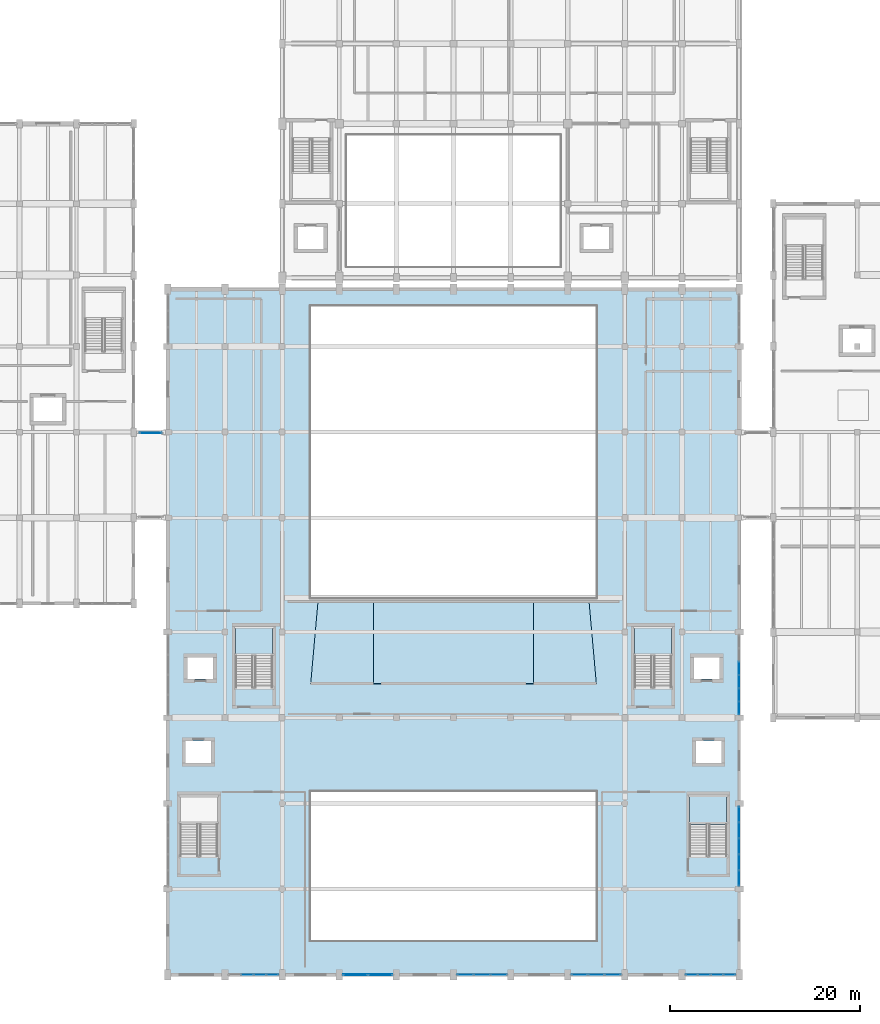
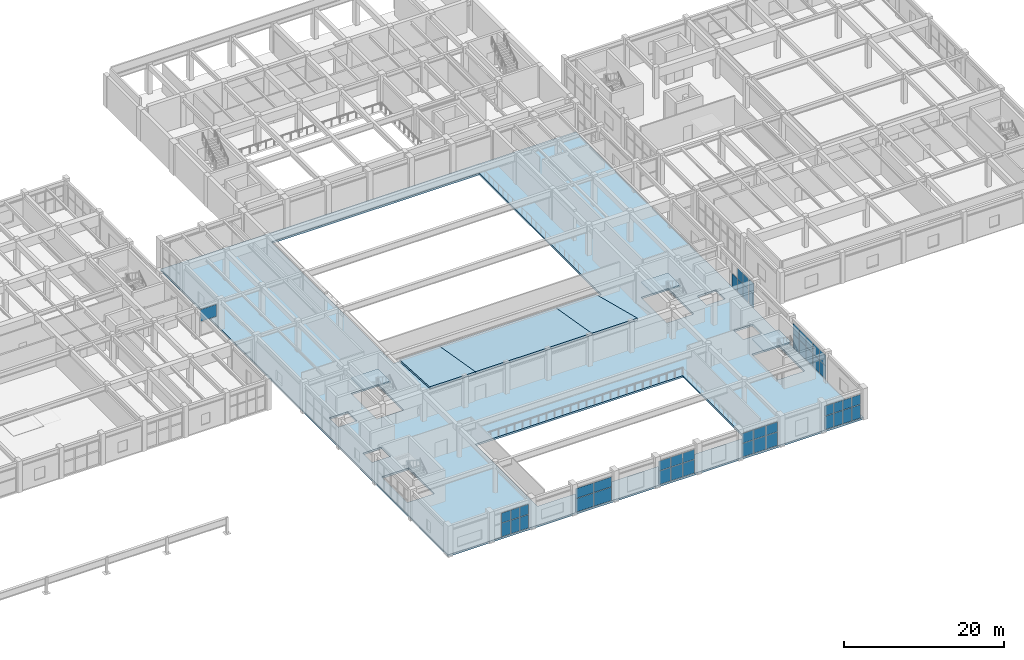
# One storey, part 55 of 85: 48 plates, 7 slabs, 11 elements without a shape of their own.
"""IFC4 building model written with IfcOpenShell, lengths in metres."""

from ifc_helpers import new_model, si_unit, direction, frame, origin, origin_2d, place, context, subcontext, project, spatial, polyline, rectangle, outline, extrude, material, layer, layer_set, type_object, element, aggregate, save


model = new_model("IFC4")

# Units and contexts
model_context = context("Model", 3, precision=1e-05, world=origin(), true_north=direction((0.0, 1.0)))
body_context = subcontext(model_context, "Body", "Model", "MODEL_VIEW")
ifc_project = project(units=[si_unit("LENGTHUNIT", "METRE"), si_unit("AREAUNIT", "SQUARE_METRE"), si_unit("VOLUMEUNIT", "CUBIC_METRE"), si_unit("PLANEANGLEUNIT", "RADIAN"), si_unit("MASSUNIT", "GRAM", prefix="KILO")], contexts=[model_context])

# Site, building, storey
site_placement = place(None, origin())
site = spatial("IfcSite", under=ifc_project, at=site_placement, CompositionType="ELEMENT")
building_placement = place(site_placement, origin())
building = spatial("IfcBuilding", under=site, at=building_placement, Name="Vaelkrest Opera House", CompositionType="ELEMENT")
storey_placement = place(building_placement, frame((0.0, 0.0, 10.199951171875)))
storey = spatial("IfcBuildingStorey", under=building, at=storey_placement, Name="L02", CompositionType="ELEMENT", Elevation=10.199951171875)

# Curtain wall, plates
ifc_material_1 = material(Name="Dark bronze anodized aluminium", Category="aluminium")
ifc_layer_1 = layer(ifc_material_1, 0.179931640625)
ifc_layer_set_1 = layer_set([ifc_layer_1], Name="Dark bronze anodized aluminium")
curtain_wall_type_1 = type_object("IfcCurtainWallType", Name="CW01", PredefinedType="NOTDEFINED", material=ifc_layer_set_1)
curtain_wall_1_placement = place(storey_placement, origin())
curtain_wall_1 = element("IfcCurtainWall", 1, at=curtain_wall_1_placement, inside=storey, type_object=curtain_wall_type_1, Name="Curtain wall CW-L02-040", PredefinedType="NOTDEFINED")
ifc_material_2 = material(Name="Double low-E insulated glazing", Category="glass")
ifc_layer_2 = layer(ifc_material_2, 0.02587890625)
ifc_layer_set_2 = layer_set([ifc_layer_2], Name="Double low-E insulated glazing")
plate_type_1 = type_object("IfcPlateType", Name="CWP01", PredefinedType="CURTAIN_PANEL", material=ifc_layer_set_2)
plate_1_placement = place(storey_placement, frame((30.0, -23.599609375, 0.06494140625), z_axis=(0.0, 0.0, 1.0), x_axis=(0.0, -1.0, 0.0)))
plate_1 = element("IfcPlate", 2, at=plate_1_placement, type_object=plate_type_1, Name="CW01 panel 3.1", PredefinedType="CURTAIN_PANEL", context=body_context, shape_type="SweptSolid", body=[
    extrude(rectangle(XDim=1.335693359375, YDim=0.02587890625, at=origin_2d()), origin(), (0.0, 0.0, 1.0), 2.052490234375),
])
plate_2_placement = place(storey_placement, frame((30.0, -25.000244140625, 0.06494140625), z_axis=(0.0, 0.0, 1.0), x_axis=(0.0, -1.0, 0.0)))
plate_2 = element("IfcPlate", 3, at=plate_2_placement, type_object=plate_type_1, Name="CW01 panel 4.1", PredefinedType="CURTAIN_PANEL", context=body_context, shape_type="SweptSolid", body=[
    extrude(rectangle(XDim=1.335693359375, YDim=0.02587890625, at=origin_2d()), origin(), (0.0, 0.0, 1.0), 2.052490234375),
])
plate_3_placement = place(storey_placement, frame((30.0, -25.000244140625, 2.1826171875), z_axis=(0.0, 0.0, 1.0), x_axis=(0.0, -1.0, 0.0)))
plate_3 = element("IfcPlate", 4, at=plate_3_placement, type_object=plate_type_1, Name="CW01 panel 4.2", PredefinedType="CURTAIN_PANEL", context=body_context, shape_type="SweptSolid", body=[
    extrude(rectangle(XDim=1.335693359375, YDim=0.02587890625, at=origin_2d()), origin(), (0.0, 0.0, 1.0), 1.58154296875),
])
plate_4_placement = place(storey_placement, frame((30.0, -26.40087890625, 0.06494140625), z_axis=(0.0, 0.0, 1.0), x_axis=(0.0, -1.0, 0.0)))
plate_4 = element("IfcPlate", 5, at=plate_4_placement, type_object=plate_type_1, Name="CW01 panel 5.1", PredefinedType="CURTAIN_PANEL", context=body_context, shape_type="SweptSolid", body=[
    extrude(rectangle(XDim=1.335693359375, YDim=0.02587890625, at=origin_2d()), origin(), (0.0, 0.0, 1.0), 2.052490234375),
])
plate_5_placement = place(storey_placement, frame((30.0, -26.40087890625, 2.1826171875), z_axis=(0.0, 0.0, 1.0), x_axis=(0.0, -1.0, 0.0)))
plate_5 = element("IfcPlate", 6, at=plate_5_placement, type_object=plate_type_1, Name="CW01 panel 5.2", PredefinedType="CURTAIN_PANEL", context=body_context, shape_type="SweptSolid", body=[
    extrude(rectangle(XDim=1.335693359375, YDim=0.02587890625, at=origin_2d()), origin(), (0.0, 0.0, 1.0), 1.58154296875),
])
plate_6_placement = place(storey_placement, frame((30.0, -27.785400390625, 0.06494140625), z_axis=(0.0, 0.0, 1.0), x_axis=(0.0, -1.0, 0.0)))
plate_6 = element("IfcPlate", 7, at=plate_6_placement, type_object=plate_type_1, Name="CW01 panel 6.1", PredefinedType="CURTAIN_PANEL", context=body_context, shape_type="SweptSolid", body=[
    extrude(rectangle(XDim=1.30322265625, YDim=0.02587890625, at=origin_2d()), origin(), (0.0, 0.0, 1.0), 2.052490234375),
])
plate_7_placement = place(storey_placement, frame((30.0, -27.785400390625, 2.1826171875), z_axis=(0.0, 0.0, 1.0), x_axis=(0.0, -1.0, 0.0)))
plate_7 = element("IfcPlate", 8, at=plate_7_placement, type_object=plate_type_1, Name="CW01 panel 6.2", PredefinedType="CURTAIN_PANEL", context=body_context, shape_type="SweptSolid", body=[
    extrude(rectangle(XDim=1.30322265625, YDim=0.02587890625, at=origin_2d()), origin(), (0.0, 0.0, 1.0), 1.58154296875),
])
aggregate(curtain_wall_1, [plate_1, plate_2, plate_3, plate_4, plate_5, plate_6, plate_7])

ifc_layer_3 = layer(ifc_material_1, 0.18994140625)
ifc_layer_set_3 = layer_set([ifc_layer_3], Name="Dark bronze anodized aluminium")
curtain_wall_type_2 = type_object("IfcCurtainWallType", Name="CW02", PredefinedType="NOTDEFINED", material=ifc_layer_set_3)
curtain_wall_2_placement = place(storey_placement, origin())
curtain_wall_2 = element("IfcCurtainWall", 9, at=curtain_wall_2_placement, inside=storey, type_object=curtain_wall_type_2, Name="Curtain wall CW-L02-031", PredefinedType="NOTDEFINED")
ifc_layer_4 = layer(ifc_material_2, 0.030029296875)
ifc_layer_set_4 = layer_set([ifc_layer_4], Name="Double low-E insulated glazing")
plate_type_2 = type_object("IfcPlateType", Name="CWP02", PredefinedType="CURTAIN_PANEL", material=ifc_layer_set_4)
plate_8_placement = place(storey_placement, frame((28.971435546875, -55.800048828125, 0.070068359375), z_axis=(0.0, 0.0, 1.0), x_axis=(-1.0, 0.0, 0.0)))
plate_8 = element("IfcPlate", 10, at=plate_8_placement, type_object=plate_type_2, Name="CW02 panel 1.1", PredefinedType="CURTAIN_PANEL", context=body_context, shape_type="SweptSolid", body=[
    extrude(rectangle(XDim=1.220947265625, YDim=0.030029296875, at=origin_2d()), origin(), (0.0, 0.0, 1.0), 2.044921875),
])
plate_9_placement = place(storey_placement, frame((28.971435546875, -55.800048828125, 2.18505859375), z_axis=(0.0, 0.0, 1.0), x_axis=(-1.0, 0.0, 0.0)))
plate_9 = element("IfcPlate", 11, at=plate_9_placement, type_object=plate_type_2, Name="CW02 panel 1.2", PredefinedType="CURTAIN_PANEL", context=body_context, shape_type="SweptSolid", body=[
    extrude(rectangle(XDim=1.220947265625, YDim=0.030029296875, at=origin_2d()), origin(), (0.0, 0.0, 1.0), 1.489990234375),
])
plate_10_placement = place(storey_placement, frame((27.6630859375, -55.800048828125, 0.070068359375), z_axis=(0.0, 0.0, 1.0), x_axis=(-1.0, 0.0, 0.0)))
plate_10 = element("IfcPlate", 12, at=plate_10_placement, type_object=plate_type_2, Name="CW02 panel 2.1", PredefinedType="CURTAIN_PANEL", context=body_context, shape_type="SweptSolid", body=[
    extrude(rectangle(XDim=1.256103515625, YDim=0.030029296875, at=origin_2d()), origin(), (0.0, 0.0, 1.0), 2.044921875),
])
plate_11_placement = place(storey_placement, frame((27.6630859375, -55.800048828125, 2.18505859375), z_axis=(0.0, 0.0, 1.0), x_axis=(-1.0, 0.0, 0.0)))
plate_11 = element("IfcPlate", 13, at=plate_11_placement, type_object=plate_type_2, Name="CW02 panel 2.2", PredefinedType="CURTAIN_PANEL", context=body_context, shape_type="SweptSolid", body=[
    extrude(rectangle(XDim=1.256103515625, YDim=0.030029296875, at=origin_2d()), origin(), (0.0, 0.0, 1.0), 1.489990234375),
])
plate_12_placement = place(storey_placement, frame((26.3369140625, -55.800048828125, 0.070068359375), z_axis=(0.0, 0.0, 1.0), x_axis=(-1.0, 0.0, 0.0)))
plate_12 = element("IfcPlate", 14, at=plate_12_placement, type_object=plate_type_2, Name="CW02 panel 3.1", PredefinedType="CURTAIN_PANEL", context=body_context, shape_type="SweptSolid", body=[
    extrude(rectangle(XDim=1.256103515625, YDim=0.030029296875, at=origin_2d()), origin(), (0.0, 0.0, 1.0), 2.044921875),
])
plate_13_placement = place(storey_placement, frame((26.3369140625, -55.800048828125, 2.18505859375), z_axis=(0.0, 0.0, 1.0), x_axis=(-1.0, 0.0, 0.0)))
plate_13 = element("IfcPlate", 15, at=plate_13_placement, type_object=plate_type_2, Name="CW02 panel 3.2", PredefinedType="CURTAIN_PANEL", context=body_context, shape_type="SweptSolid", body=[
    extrude(rectangle(XDim=1.256103515625, YDim=0.030029296875, at=origin_2d()), origin(), (0.0, 0.0, 1.0), 1.489990234375),
])
plate_14_placement = place(storey_placement, frame((25.028564453125, -55.800048828125, 0.070068359375), z_axis=(0.0, 0.0, 1.0), x_axis=(-1.0, 0.0, 0.0)))
plate_14 = element("IfcPlate", 16, at=plate_14_placement, type_object=plate_type_2, Name="CW02 panel 4.1", PredefinedType="CURTAIN_PANEL", context=body_context, shape_type="SweptSolid", body=[
    extrude(rectangle(XDim=1.220947265625, YDim=0.030029296875, at=origin_2d()), origin(), (0.0, 0.0, 1.0), 2.044921875),
])
plate_15_placement = place(storey_placement, frame((25.028564453125, -55.800048828125, 2.18505859375), z_axis=(0.0, 0.0, 1.0), x_axis=(-1.0, 0.0, 0.0)))
plate_15 = element("IfcPlate", 17, at=plate_15_placement, type_object=plate_type_2, Name="CW02 panel 4.2", PredefinedType="CURTAIN_PANEL", context=body_context, shape_type="SweptSolid", body=[
    extrude(rectangle(XDim=1.220947265625, YDim=0.030029296875, at=origin_2d()), origin(), (0.0, 0.0, 1.0), 1.489990234375),
])
aggregate(curtain_wall_2, [plate_8, plate_9, plate_10, plate_11, plate_12, plate_13, plate_14, plate_15])

curtain_wall_3_placement = place(storey_placement, origin())
curtain_wall_3 = element("IfcCurtainWall", 18, at=curtain_wall_3_placement, inside=storey, type_object=curtain_wall_type_2, Name="Curtain wall CW-L02-035", PredefinedType="NOTDEFINED")
plate_16_placement = place(storey_placement, frame((-19.028564453125, -55.800048828125, 0.070068359375), z_axis=(0.0, 0.0, 1.0), x_axis=(-1.0, 0.0, 0.0)))
plate_16 = element("IfcPlate", 19, at=plate_16_placement, type_object=plate_type_2, Name="CW02 panel 1.1", PredefinedType="CURTAIN_PANEL", context=body_context, shape_type="SweptSolid", body=[
    extrude(rectangle(XDim=1.220947265625, YDim=0.030029296875, at=origin_2d()), origin(), (0.0, 0.0, 1.0), 2.044921875),
])
plate_17_placement = place(storey_placement, frame((-19.028564453125, -55.800048828125, 2.18505859375), z_axis=(0.0, 0.0, 1.0), x_axis=(-1.0, 0.0, 0.0)))
plate_17 = element("IfcPlate", 20, at=plate_17_placement, type_object=plate_type_2, Name="CW02 panel 1.2", PredefinedType="CURTAIN_PANEL", context=body_context, shape_type="SweptSolid", body=[
    extrude(rectangle(XDim=1.220947265625, YDim=0.030029296875, at=origin_2d()), origin(), (0.0, 0.0, 1.0), 1.489990234375),
])
plate_18_placement = place(storey_placement, frame((-20.3369140625, -55.800048828125, 0.070068359375), z_axis=(0.0, 0.0, 1.0), x_axis=(-1.0, 0.0, 0.0)))
plate_18 = element("IfcPlate", 21, at=plate_18_placement, type_object=plate_type_2, Name="CW02 panel 2.1", PredefinedType="CURTAIN_PANEL", context=body_context, shape_type="SweptSolid", body=[
    extrude(rectangle(XDim=1.256103515625, YDim=0.030029296875, at=origin_2d()), origin(), (0.0, 0.0, 1.0), 2.044921875),
])
plate_19_placement = place(storey_placement, frame((-20.3369140625, -55.800048828125, 2.18505859375), z_axis=(0.0, 0.0, 1.0), x_axis=(-1.0, 0.0, 0.0)))
plate_19 = element("IfcPlate", 22, at=plate_19_placement, type_object=plate_type_2, Name="CW02 panel 2.2", PredefinedType="CURTAIN_PANEL", context=body_context, shape_type="SweptSolid", body=[
    extrude(rectangle(XDim=1.256103515625, YDim=0.030029296875, at=origin_2d()), origin(), (0.0, 0.0, 1.0), 1.489990234375),
])
plate_20_placement = place(storey_placement, frame((-21.6630859375, -55.800048828125, 0.070068359375), z_axis=(0.0, 0.0, 1.0), x_axis=(-1.0, 0.0, 0.0)))
plate_20 = element("IfcPlate", 23, at=plate_20_placement, type_object=plate_type_2, Name="CW02 panel 3.1", PredefinedType="CURTAIN_PANEL", context=body_context, shape_type="SweptSolid", body=[
    extrude(rectangle(XDim=1.256103515625, YDim=0.030029296875, at=origin_2d()), origin(), (0.0, 0.0, 1.0), 2.044921875),
])
plate_21_placement = place(storey_placement, frame((-21.6630859375, -55.800048828125, 2.18505859375), z_axis=(0.0, 0.0, 1.0), x_axis=(-1.0, 0.0, 0.0)))
plate_21 = element("IfcPlate", 24, at=plate_21_placement, type_object=plate_type_2, Name="CW02 panel 3.2", PredefinedType="CURTAIN_PANEL", context=body_context, shape_type="SweptSolid", body=[
    extrude(rectangle(XDim=1.256103515625, YDim=0.030029296875, at=origin_2d()), origin(), (0.0, 0.0, 1.0), 1.489990234375),
])
aggregate(curtain_wall_3, [plate_16, plate_17, plate_18, plate_19, plate_20, plate_21])

ifc_layer_5 = layer(ifc_material_1, 0.199951171875)
ifc_layer_set_5 = layer_set([ifc_layer_5], Name="Dark bronze anodized aluminium")
curtain_wall_type_3 = type_object("IfcCurtainWallType", Name="CW03", PredefinedType="NOTDEFINED", material=ifc_layer_set_5)
curtain_wall_4_placement = place(storey_placement, origin())
curtain_wall_4 = element("IfcCurtainWall", 25, at=curtain_wall_4_placement, inside=storey, type_object=curtain_wall_type_3, Name="Curtain wall CW-L02-041", PredefinedType="NOTDEFINED")
ifc_layer_6 = layer(ifc_material_2, 0.033935546875)
ifc_layer_set_6 = layer_set([ifc_layer_6], Name="Double low-E insulated glazing")
plate_type_3 = type_object("IfcPlateType", Name="CWP03", PredefinedType="CURTAIN_PANEL", material=ifc_layer_set_6)
plate_22_placement = place(storey_placement, frame((30.0, -38.95703125, 0.074951171875), z_axis=(0.0, 0.0, 1.0), x_axis=(0.0, -1.0, 0.0)))
plate_22 = element("IfcPlate", 26, at=plate_22_placement, type_object=plate_type_3, Name="CW03 panel 1.1", PredefinedType="CURTAIN_PANEL", context=body_context, shape_type="SweptSolid", body=[
    extrude(rectangle(XDim=1.568359375, YDim=0.033935546875, at=origin_2d()), origin(), (0.0, 0.0, 1.0), 2.03759765625),
])
plate_23_placement = place(storey_placement, frame((30.0, -38.95703125, 2.1875), z_axis=(0.0, 0.0, 1.0), x_axis=(0.0, -1.0, 0.0)))
plate_23 = element("IfcPlate", 27, at=plate_23_placement, type_object=plate_type_3, Name="CW03 panel 1.2", PredefinedType="CURTAIN_PANEL", context=body_context, shape_type="SweptSolid", body=[
    extrude(rectangle(XDim=1.568359375, YDim=0.033935546875, at=origin_2d()), origin(), (0.0, 0.0, 1.0), 1.56640625),
])
plate_24_placement = place(storey_placement, frame((30.0, -40.619140625, 0.074951171875), z_axis=(0.0, 0.0, 1.0), x_axis=(0.0, -1.0, 0.0)))
plate_24 = element("IfcPlate", 28, at=plate_24_placement, type_object=plate_type_3, Name="CW03 panel 2.1", PredefinedType="CURTAIN_PANEL", context=body_context, shape_type="SweptSolid", body=[
    extrude(rectangle(XDim=1.605712890625, YDim=0.033935546875, at=origin_2d()), origin(), (0.0, 0.0, 1.0), 2.03759765625),
])
plate_25_placement = place(storey_placement, frame((30.0, -40.619140625, 2.1875), z_axis=(0.0, 0.0, 1.0), x_axis=(0.0, -1.0, 0.0)))
plate_25 = element("IfcPlate", 29, at=plate_25_placement, type_object=plate_type_3, Name="CW03 panel 2.2", PredefinedType="CURTAIN_PANEL", context=body_context, shape_type="SweptSolid", body=[
    extrude(rectangle(XDim=1.605712890625, YDim=0.033935546875, at=origin_2d()), origin(), (0.0, 0.0, 1.0), 1.56640625),
])
plate_26_placement = place(storey_placement, frame((30.0, -42.300048828125, 0.074951171875), z_axis=(0.0, 0.0, 1.0), x_axis=(0.0, -1.0, 0.0)))
plate_26 = element("IfcPlate", 30, at=plate_26_placement, type_object=plate_type_3, Name="CW03 panel 3.1", PredefinedType="CURTAIN_PANEL", context=body_context, shape_type="SweptSolid", body=[
    extrude(rectangle(XDim=1.605712890625, YDim=0.033935546875, at=origin_2d()), origin(), (0.0, 0.0, 1.0), 2.03759765625),
])
plate_27_placement = place(storey_placement, frame((30.0, -42.300048828125, 2.1875), z_axis=(0.0, 0.0, 1.0), x_axis=(0.0, -1.0, 0.0)))
plate_27 = element("IfcPlate", 31, at=plate_27_placement, type_object=plate_type_3, Name="CW03 panel 3.2", PredefinedType="CURTAIN_PANEL", context=body_context, shape_type="SweptSolid", body=[
    extrude(rectangle(XDim=1.605712890625, YDim=0.033935546875, at=origin_2d()), origin(), (0.0, 0.0, 1.0), 1.56640625),
])
plate_28_placement = place(storey_placement, frame((30.0, -43.980712890625, 0.074951171875), z_axis=(0.0, 0.0, 1.0), x_axis=(0.0, -1.0, 0.0)))
plate_28 = element("IfcPlate", 32, at=plate_28_placement, type_object=plate_type_3, Name="CW03 panel 4.1", PredefinedType="CURTAIN_PANEL", context=body_context, shape_type="SweptSolid", body=[
    extrude(rectangle(XDim=1.605712890625, YDim=0.033935546875, at=origin_2d()), origin(), (0.0, 0.0, 1.0), 2.03759765625),
])
plate_29_placement = place(storey_placement, frame((30.0, -43.980712890625, 2.1875), z_axis=(0.0, 0.0, 1.0), x_axis=(0.0, -1.0, 0.0)))
plate_29 = element("IfcPlate", 33, at=plate_29_placement, type_object=plate_type_3, Name="CW03 panel 4.2", PredefinedType="CURTAIN_PANEL", context=body_context, shape_type="SweptSolid", body=[
    extrude(rectangle(XDim=1.605712890625, YDim=0.033935546875, at=origin_2d()), origin(), (0.0, 0.0, 1.0), 1.56640625),
])
plate_30_placement = place(storey_placement, frame((30.0, -45.642822265625, 0.074951171875), z_axis=(0.0, 0.0, 1.0), x_axis=(0.0, -1.0, 0.0)))
plate_30 = element("IfcPlate", 34, at=plate_30_placement, type_object=plate_type_3, Name="CW03 panel 5.1", PredefinedType="CURTAIN_PANEL", context=body_context, shape_type="SweptSolid", body=[
    extrude(rectangle(XDim=1.568359375, YDim=0.033935546875, at=origin_2d()), origin(), (0.0, 0.0, 1.0), 2.03759765625),
])
plate_31_placement = place(storey_placement, frame((30.0, -45.642822265625, 2.1875), z_axis=(0.0, 0.0, 1.0), x_axis=(0.0, -1.0, 0.0)))
plate_31 = element("IfcPlate", 35, at=plate_31_placement, type_object=plate_type_3, Name="CW03 panel 5.2", PredefinedType="CURTAIN_PANEL", context=body_context, shape_type="SweptSolid", body=[
    extrude(rectangle(XDim=1.568359375, YDim=0.033935546875, at=origin_2d()), origin(), (0.0, 0.0, 1.0), 1.56640625),
])
aggregate(curtain_wall_4, [plate_22, plate_23, plate_24, plate_25, plate_26, plate_27, plate_28, plate_29, plate_30, plate_31])

# Curtain wall, plate
curtain_wall_5_placement = place(storey_placement, origin())
curtain_wall_5 = element("IfcCurtainWall", 36, at=curtain_wall_5_placement, inside=storey, type_object=curtain_wall_type_3, Name="Curtain wall CW-L02-179", PredefinedType="NOTDEFINED")
plate_32_placement = place(storey_placement, frame((-31.800048828125, 1.10009765625, 2.1875), z_axis=(0.0, 0.0, 1.0), x_axis=(1.0, 0.0, 0.0)))
plate_32 = element("IfcPlate", 37, at=plate_32_placement, type_object=plate_type_3, Name="CW03 panel 1.2", PredefinedType="CURTAIN_PANEL", context=body_context, shape_type="SweptSolid", body=[
    extrude(rectangle(XDim=2.2900390625, YDim=0.033935546875, at=origin_2d()), origin(), (0.0, 0.0, 1.0), 1.8173828125),
])
aggregate(curtain_wall_5, [plate_32])

# Curtain wall, plates
ifc_layer_7 = layer(ifc_material_1, 0.2099609375)
ifc_layer_set_7 = layer_set([ifc_layer_7], Name="Dark bronze anodized aluminium")
curtain_wall_type_4 = type_object("IfcCurtainWallType", Name="CW04", PredefinedType="NOTDEFINED", material=ifc_layer_set_7)
curtain_wall_6_placement = place(storey_placement, origin())
curtain_wall_6 = element("IfcCurtainWall", 38, at=curtain_wall_6_placement, inside=storey, type_object=curtain_wall_type_4, Name="Curtain wall CW-L02-032", PredefinedType="NOTDEFINED")
ifc_layer_8 = layer(ifc_material_2, 0.0380859375)
ifc_layer_set_8 = layer_set([ifc_layer_8], Name="Double low-E insulated glazing")
plate_type_4 = type_object("IfcPlateType", Name="CWP04", PredefinedType="CURTAIN_PANEL", material=ifc_layer_set_8)
plate_33_placement = place(storey_placement, frame((16.748046875, -55.800048828125, 0.080078125), z_axis=(0.0, 0.0, 1.0), x_axis=(-1.0, 0.0, 0.0)))
plate_33 = element("IfcPlate", 39, at=plate_33_placement, type_object=plate_type_4, Name="CW04 panel 1.1", PredefinedType="CURTAIN_PANEL", context=body_context, shape_type="SweptSolid", body=[
    extrude(rectangle(XDim=1.64794921875, YDim=0.0380859375, at=origin_2d()), origin(), (0.0, 0.0, 1.0), 2.030029296875),
])
plate_34_placement = place(storey_placement, frame((16.748046875, -55.800048828125, 2.18994140625), z_axis=(0.0, 0.0, 1.0), x_axis=(-1.0, 0.0, 0.0)))
plate_34 = element("IfcPlate", 40, at=plate_34_placement, type_object=plate_type_4, Name="CW04 panel 1.2", PredefinedType="CURTAIN_PANEL", context=body_context, shape_type="SweptSolid", body=[
    extrude(rectangle(XDim=1.64794921875, YDim=0.0380859375, at=origin_2d()), origin(), (0.0, 0.0, 1.0), 1.47509765625),
])
plate_35_placement = place(storey_placement, frame((15.0, -55.800048828125, 0.080078125), z_axis=(0.0, 0.0, 1.0), x_axis=(-1.0, 0.0, 0.0)))
plate_35 = element("IfcPlate", 41, at=plate_35_placement, type_object=plate_type_4, Name="CW04 panel 2.1", PredefinedType="CURTAIN_PANEL", context=body_context, shape_type="SweptSolid", body=[
    extrude(rectangle(XDim=1.68798828125, YDim=0.0380859375, at=origin_2d()), origin(), (0.0, 0.0, 1.0), 2.030029296875),
])
plate_36_placement = place(storey_placement, frame((15.0, -55.800048828125, 2.18994140625), z_axis=(0.0, 0.0, 1.0), x_axis=(-1.0, 0.0, 0.0)))
plate_36 = element("IfcPlate", 42, at=plate_36_placement, type_object=plate_type_4, Name="CW04 panel 2.2", PredefinedType="CURTAIN_PANEL", context=body_context, shape_type="SweptSolid", body=[
    extrude(rectangle(XDim=1.68798828125, YDim=0.0380859375, at=origin_2d()), origin(), (0.0, 0.0, 1.0), 1.47509765625),
])
plate_37_placement = place(storey_placement, frame((13.251953125, -55.800048828125, 0.080078125), z_axis=(0.0, 0.0, 1.0), x_axis=(-1.0, 0.0, 0.0)))
plate_37 = element("IfcPlate", 43, at=plate_37_placement, type_object=plate_type_4, Name="CW04 panel 3.1", PredefinedType="CURTAIN_PANEL", context=body_context, shape_type="SweptSolid", body=[
    extrude(rectangle(XDim=1.64794921875, YDim=0.0380859375, at=origin_2d()), origin(), (0.0, 0.0, 1.0), 2.030029296875),
])
plate_38_placement = place(storey_placement, frame((13.251953125, -55.800048828125, 2.18994140625), z_axis=(0.0, 0.0, 1.0), x_axis=(-1.0, 0.0, 0.0)))
plate_38 = element("IfcPlate", 44, at=plate_38_placement, type_object=plate_type_4, Name="CW04 panel 3.2", PredefinedType="CURTAIN_PANEL", context=body_context, shape_type="SweptSolid", body=[
    extrude(rectangle(XDim=1.64794921875, YDim=0.0380859375, at=origin_2d()), origin(), (0.0, 0.0, 1.0), 1.47509765625),
])
aggregate(curtain_wall_6, [plate_33, plate_34, plate_35, plate_36, plate_37, plate_38])

ifc_layer_9 = layer(ifc_material_1, 0.22998046875)
ifc_layer_set_9 = layer_set([ifc_layer_9], Name="Dark bronze anodized aluminium")
curtain_wall_type_5 = type_object("IfcCurtainWallType", Name="CW06", PredefinedType="NOTDEFINED", material=ifc_layer_set_9)
curtain_wall_7_placement = place(storey_placement, origin())
curtain_wall_7 = element("IfcCurtainWall", 45, at=curtain_wall_7_placement, inside=storey, type_object=curtain_wall_type_5, Name="Curtain wall CW-L02-033", PredefinedType="NOTDEFINED")
ifc_material_3 = material(Name="Dark bronze anodized aluminium spandrel", Category="aluminium")
ifc_layer_10 = layer(ifc_material_3, 0.0458984375)
ifc_layer_set_10 = layer_set([ifc_layer_10], Name="Dark bronze anodized aluminium spandrel")
plate_type_5 = type_object("IfcPlateType", Name="CWP06", PredefinedType="CURTAIN_PANEL", material=ifc_layer_set_10)
plate_39_placement = place(storey_placement, frame((4.75048828125, -55.800048828125, 0.080078125), z_axis=(0.0, 0.0, 1.0), x_axis=(-1.0, 0.0, 0.0)))
plate_39 = element("IfcPlate", 46, at=plate_39_placement, type_object=plate_type_5, Name="CW06 panel 1.1", PredefinedType="CURTAIN_PANEL", context=body_context, shape_type="SweptSolid", body=[
    extrude(rectangle(XDim=1.6630859375, YDim=0.0458984375, at=origin_2d()), origin(), (0.0, 0.0, 1.0), 2.030029296875),
])
plate_40_placement = place(storey_placement, frame((4.75048828125, -55.800048828125, 2.18994140625), z_axis=(0.0, 0.0, 1.0), x_axis=(-1.0, 0.0, 0.0)))
plate_40 = element("IfcPlate", 47, at=plate_40_placement, type_object=plate_type_5, Name="CW06 panel 1.2", PredefinedType="CURTAIN_PANEL", context=body_context, shape_type="SweptSolid", body=[
    extrude(rectangle(XDim=1.6630859375, YDim=0.0458984375, at=origin_2d()), origin(), (0.0, 0.0, 1.0), 1.47509765625),
])
plate_41_placement = place(storey_placement, frame((3.0, -55.800048828125, 0.080078125), z_axis=(0.0, 0.0, 1.0), x_axis=(-1.0, 0.0, 0.0)))
plate_41 = element("IfcPlate", 48, at=plate_41_placement, type_object=plate_type_5, Name="CW06 panel 2.1", PredefinedType="CURTAIN_PANEL", context=body_context, shape_type="SweptSolid", body=[
    extrude(rectangle(XDim=1.697998046875, YDim=0.0458984375, at=origin_2d()), origin(), (0.0, 0.0, 1.0), 2.030029296875),
])
plate_42_placement = place(storey_placement, frame((3.0, -55.800048828125, 2.18994140625), z_axis=(0.0, 0.0, 1.0), x_axis=(-1.0, 0.0, 0.0)))
plate_42 = element("IfcPlate", 49, at=plate_42_placement, type_object=plate_type_5, Name="CW06 panel 2.2", PredefinedType="CURTAIN_PANEL", context=body_context, shape_type="SweptSolid", body=[
    extrude(rectangle(XDim=1.697998046875, YDim=0.0458984375, at=origin_2d()), origin(), (0.0, 0.0, 1.0), 1.47509765625),
])
plate_43_placement = place(storey_placement, frame((1.24951171875, -55.800048828125, 0.080078125), z_axis=(0.0, 0.0, 1.0), x_axis=(-1.0, 0.0, 0.0)))
plate_43 = element("IfcPlate", 50, at=plate_43_placement, type_object=plate_type_5, Name="CW06 panel 3.1", PredefinedType="CURTAIN_PANEL", context=body_context, shape_type="SweptSolid", body=[
    extrude(rectangle(XDim=1.6630859375, YDim=0.0458984375, at=origin_2d()), origin(), (0.0, 0.0, 1.0), 2.030029296875),
])
plate_44_placement = place(storey_placement, frame((1.24951171875, -55.800048828125, 2.18994140625), z_axis=(0.0, 0.0, 1.0), x_axis=(-1.0, 0.0, 0.0)))
plate_44 = element("IfcPlate", 51, at=plate_44_placement, type_object=plate_type_5, Name="CW06 panel 3.2", PredefinedType="CURTAIN_PANEL", context=body_context, shape_type="SweptSolid", body=[
    extrude(rectangle(XDim=1.6630859375, YDim=0.0458984375, at=origin_2d()), origin(), (0.0, 0.0, 1.0), 1.47509765625),
])
aggregate(curtain_wall_7, [plate_39, plate_40, plate_41, plate_42, plate_43, plate_44])

ifc_layer_11 = layer(ifc_material_1, 0.25)
ifc_layer_set_11 = layer_set([ifc_layer_11], Name="Dark bronze anodized aluminium")
curtain_wall_type_6 = type_object("IfcCurtainWallType", Name="CW08", PredefinedType="NOTDEFINED", material=ifc_layer_set_11)
curtain_wall_8_placement = place(storey_placement, origin())
curtain_wall_8 = element("IfcCurtainWall", 52, at=curtain_wall_8_placement, inside=storey, type_object=curtain_wall_type_6, Name="Curtain wall CW-L02-034", PredefinedType="NOTDEFINED")
ifc_layer_12 = layer(ifc_material_3, 0.05810546875)
ifc_layer_set_12 = layer_set([ifc_layer_12], Name="Dark bronze anodized aluminium spandrel")
plate_type_6 = type_object("IfcPlateType", Name="CWP08", PredefinedType="CURTAIN_PANEL", material=ifc_layer_set_12)
plate_45_placement = place(storey_placement, frame((-7.694091796875, -55.800048828125, 0.070068359375), z_axis=(0.0, 0.0, 1.0), x_axis=(-1.0, 0.0, 0.0)))
plate_45 = element("IfcPlate", 53, at=plate_45_placement, type_object=plate_type_6, Name="CW08 panel 1.1", PredefinedType="CURTAIN_PANEL", context=body_context, shape_type="SweptSolid", body=[
    extrude(rectangle(XDim=2.531982421875, YDim=0.05810546875, at=origin_2d()), origin(), (0.0, 0.0, 1.0), 2.044921875),
])
plate_46_placement = place(storey_placement, frame((-7.694091796875, -55.800048828125, 2.18505859375), z_axis=(0.0, 0.0, 1.0), x_axis=(-1.0, 0.0, 0.0)))
plate_46 = element("IfcPlate", 54, at=plate_46_placement, type_object=plate_type_6, Name="CW08 panel 1.2", PredefinedType="CURTAIN_PANEL", context=body_context, shape_type="SweptSolid", body=[
    extrude(rectangle(XDim=2.531982421875, YDim=0.05810546875, at=origin_2d()), origin(), (0.0, 0.0, 1.0), 1.489990234375),
])
plate_47_placement = place(storey_placement, frame((-10.305908203125, -55.800048828125, 0.070068359375), z_axis=(0.0, 0.0, 1.0), x_axis=(-1.0, 0.0, 0.0)))
plate_47 = element("IfcPlate", 55, at=plate_47_placement, type_object=plate_type_6, Name="CW08 panel 2.1", PredefinedType="CURTAIN_PANEL", context=body_context, shape_type="SweptSolid", body=[
    extrude(rectangle(XDim=2.531982421875, YDim=0.05810546875, at=origin_2d()), origin(), (0.0, 0.0, 1.0), 2.044921875),
])
plate_48_placement = place(storey_placement, frame((-10.305908203125, -55.800048828125, 2.18505859375), z_axis=(0.0, 0.0, 1.0), x_axis=(-1.0, 0.0, 0.0)))
plate_48 = element("IfcPlate", 56, at=plate_48_placement, type_object=plate_type_6, Name="CW08 panel 2.2", PredefinedType="CURTAIN_PANEL", context=body_context, shape_type="SweptSolid", body=[
    extrude(rectangle(XDim=2.531982421875, YDim=0.05810546875, at=origin_2d()), origin(), (0.0, 0.0, 1.0), 1.489990234375),
])
aggregate(curtain_wall_8, [plate_45, plate_46, plate_47, plate_48])

# Slab
ifc_material_4 = material(Name="Concrete C40/50", Category="concrete")
ifc_layer_13 = layer(ifc_material_4, 0.284912109375)
ifc_layer_set_13 = layer_set([ifc_layer_13], Name="Concrete C40/50")
slab_type_1 = type_object("IfcSlabType", Name="FS03", PredefinedType="FLOOR", material=ifc_layer_set_13)
slab_1_placement = place(storey_placement, frame((0.0, 0.0, -0.284912109375)))
element("IfcSlab", 57, at=slab_1_placement, inside=storey, type_object=slab_type_1, Name="Floor slab SLB-V1-L02-005", PredefinedType="FLOOR", context=body_context, shape_type="SweptSolid", body=[
    extrude(outline(polyline([(-30.0, -55.800048828125), (30.0, -55.800048828125), (30.0, 16.199951171875), (-30.0, 16.199951171875), (-30.0, -55.800048828125)]), holes=[polyline([(-15.0, -16.199951171875), (15.0, -16.199951171875), (15.0, 14.39990234375), (-15.0, 14.39990234375), (-15.0, -16.199951171875)]), polyline([(-15.0, -52.199951171875), (15.0, -52.199951171875), (15.0, -36.60009765625), (-15.0, -36.60009765625), (-15.0, -52.199951171875)]), polyline([(-19.0, -25.64990234375), (-19.0, -19.199951171875), (-22.89990234375, -19.199951171875), (-22.89990234375, -25.64990234375), (-19.0, -25.64990234375)]), polyline([(22.89990234375, -25.64990234375), (22.89990234375, -19.199951171875), (19.0, -19.199951171875), (19.0, -25.64990234375), (22.89990234375, -25.64990234375)]), polyline([(-24.800048828125, -43.35009765625), (-24.800048828125, -36.89990234375), (-28.699951171875, -36.89990234375), (-28.699951171875, -43.35009765625), (-24.800048828125, -43.35009765625)]), polyline([(28.699951171875, -43.35009765625), (28.699951171875, -36.89990234375), (24.800048828125, -36.89990234375), (24.800048828125, -43.35009765625), (28.699951171875, -43.35009765625)]), polyline([(-27.949951171875, -24.75), (-25.25, -24.75), (-25.25, -22.449951171875), (-27.949951171875, -22.449951171875), (-27.949951171875, -24.75)]), polyline([(25.25, -24.75), (27.949951171875, -24.75), (27.949951171875, -22.449951171875), (25.25, -22.449951171875), (25.25, -24.75)]), polyline([(-28.14990234375, -33.550048828125), (-25.449951171875, -33.550048828125), (-25.449951171875, -31.25), (-28.14990234375, -31.25), (-28.14990234375, -33.550048828125)]), polyline([(25.449951171875, -33.550048828125), (28.14990234375, -33.550048828125), (28.14990234375, -31.25), (25.449951171875, -31.25), (25.449951171875, -33.550048828125)])]), origin(), (0.0, 0.0, 1.0), 0.284912109375),
])

# Stair, slab
stair_type_1 = type_object("IfcStairType", Name="ST01", PredefinedType="TWO_STRAIGHT_RUN_STAIR", material=ifc_material_4)
stair_1_placement = place(storey_placement, origin())
stair_1 = element("IfcStair", 58, at=stair_1_placement, inside=storey, type_object=stair_type_1, Name="L02 Protected exit stair ST01", PredefinedType="TWO_STRAIGHT_RUN_STAIR")
ifc_layer_14 = layer(ifc_material_4, 0.199951171875)
ifc_layer_set_14 = layer_set([ifc_layer_14], Name="Concrete C40/50")
slab_type_2 = type_object("IfcSlabType", Name="SLD01", PredefinedType="LANDING", material=ifc_layer_set_14)
slab_2_placement = place(storey_placement, frame((0.0, 0.0, 2.199951171875)))
slab_2 = element("IfcSlab", 59, at=slab_2_placement, type_object=slab_type_2, Name="ST01 landing 1", PredefinedType="LANDING", context=body_context, shape_type="SweptSolid", body=[
    extrude(outline(polyline([(-19.0, -22.2900390625), (-19.0, -19.199951171875), (-22.89990234375, -19.199951171875), (-22.89990234375, -22.2900390625), (-19.0, -22.2900390625)])), origin(), (0.0, 0.0, 1.0), 0.2001953125),
])
aggregate(stair_1, [slab_2])

stair_type_2 = type_object("IfcStairType", Name="ST02", PredefinedType="TWO_STRAIGHT_RUN_STAIR", material=ifc_material_4)
stair_2_placement = place(storey_placement, origin())
stair_2 = element("IfcStair", 60, at=stair_2_placement, inside=storey, type_object=stair_type_2, Name="L02 Protected exit stair ST02", PredefinedType="TWO_STRAIGHT_RUN_STAIR")
slab_3_placement = place(storey_placement, frame((0.0, 0.0, 2.199951171875)))
slab_3 = element("IfcSlab", 61, at=slab_3_placement, type_object=slab_type_2, Name="ST02 landing 1", PredefinedType="LANDING", context=body_context, shape_type="SweptSolid", body=[
    extrude(outline(polyline([(22.89990234375, -22.2900390625), (22.89990234375, -19.199951171875), (19.0, -19.199951171875), (19.0, -22.2900390625), (22.89990234375, -22.2900390625)])), origin(), (0.0, 0.0, 1.0), 0.2001953125),
])
aggregate(stair_2, [slab_3])

stair_type_3 = type_object("IfcStairType", Name="ST04", PredefinedType="TWO_STRAIGHT_RUN_STAIR", material=ifc_material_4)
stair_3_placement = place(storey_placement, origin())
stair_3 = element("IfcStair", 62, at=stair_3_placement, inside=storey, type_object=stair_type_3, Name="L02 Protected exit stair ST04", PredefinedType="TWO_STRAIGHT_RUN_STAIR")
slab_4_placement = place(storey_placement, frame((0.0, 0.0, 2.199951171875)))
slab_4 = element("IfcSlab", 63, at=slab_4_placement, type_object=slab_type_2, Name="ST04 landing 1", PredefinedType="LANDING", context=body_context, shape_type="SweptSolid", body=[
    extrude(outline(polyline([(28.699951171875, -39.989990234375), (28.699951171875, -36.89990234375), (24.800048828125, -36.89990234375), (24.800048828125, -39.989990234375), (28.699951171875, -39.989990234375)])), origin(), (0.0, 0.0, 1.0), 0.2001953125),
])
aggregate(stair_3, [slab_4])

# Slabs
ifc_layer_15 = layer(ifc_material_4, 0.2900390625)
ifc_layer_set_15 = layer_set([ifc_layer_15], Name="Concrete C40/50")
slab_type_3 = type_object("IfcSlabType", Name="STIER03", PredefinedType="USERDEFINED", material=ifc_layer_set_15)
slab_5_placement = place(storey_placement, frame((-14.199951171875, -16.199951171875, 0.31396484375), z_axis=(0.0, 0.169313311167, 0.985562277414), x_axis=(1.0, 0.0, 0.0)))
element("IfcSlab", 64, at=slab_5_placement, inside=storey, type_object=slab_type_3, Name="Auditorium seating tier L02 sector 1", ObjectType="SEATING TIER", PredefinedType="USERDEFINED", context=body_context, shape_type="SweptSolid", body=[
    extrude(outline(polyline([(0.0, 0.0), (5.800048828125, 0.0), (5.800048828125, -9.131843016165522), (-0.800048828125, -9.131843016165522), (0.0, 0.0)])), origin(), (0.0, 0.0, -1.0), 0.2900390625),
])
slab_6_placement = place(storey_placement, frame((-8.39990234375, -16.199951171875, 0.31396484375), z_axis=(0.0, 0.169313311167, 0.985562277414), x_axis=(1.0, 0.0, 0.0)))
element("IfcSlab", 65, at=slab_6_placement, inside=storey, type_object=slab_type_3, Name="Auditorium seating tier L02 sector 2", ObjectType="SEATING TIER", PredefinedType="USERDEFINED", context=body_context, shape_type="SweptSolid", body=[
    extrude(outline(polyline([(0.0, 0.0), (16.7998046875, 0.0), (16.7998046875, -9.131843016165522), (0.0, -9.131843016165522), (0.0, 0.0)])), origin(), (0.0, 0.0, -1.0), 0.2900390625),
])
slab_7_placement = place(storey_placement, frame((8.39990234375, -16.199951171875, 0.31396484375), z_axis=(0.0, 0.169313311167, 0.985562277414), x_axis=(1.0, 0.0, 0.0)))
element("IfcSlab", 66, at=slab_7_placement, inside=storey, type_object=slab_type_3, Name="Auditorium seating tier L02 sector 3", ObjectType="SEATING TIER", PredefinedType="USERDEFINED", context=body_context, shape_type="SweptSolid", body=[
    extrude(outline(polyline([(0.0, 0.0), (5.800048828125, 0.0), (6.60009765625, -9.131843016165522), (0.0, -9.131843016165522), (0.0, 0.0)])), origin(), (0.0, 0.0, -1.0), 0.2900390625),
])

save(model, "model.ifc")
